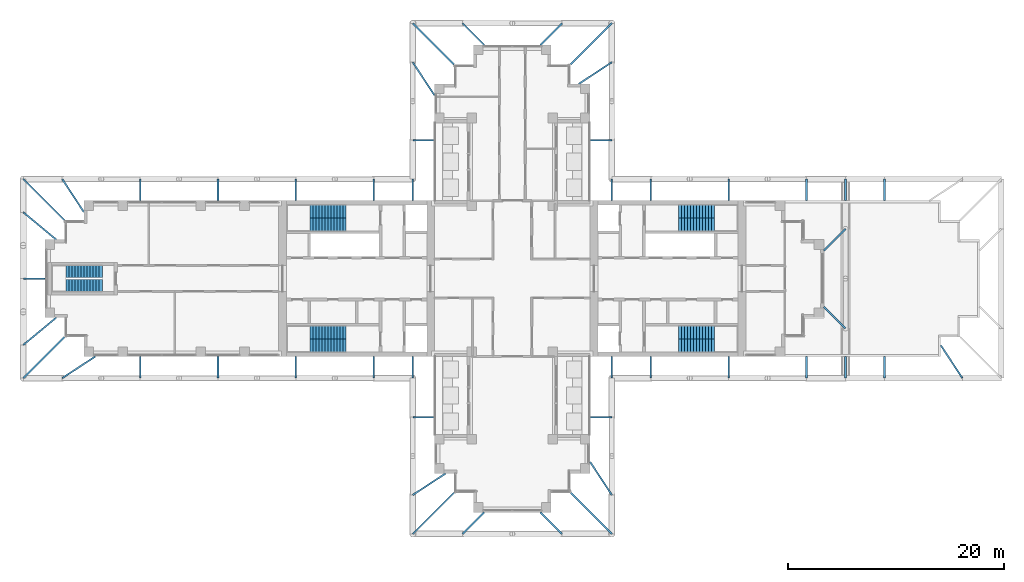
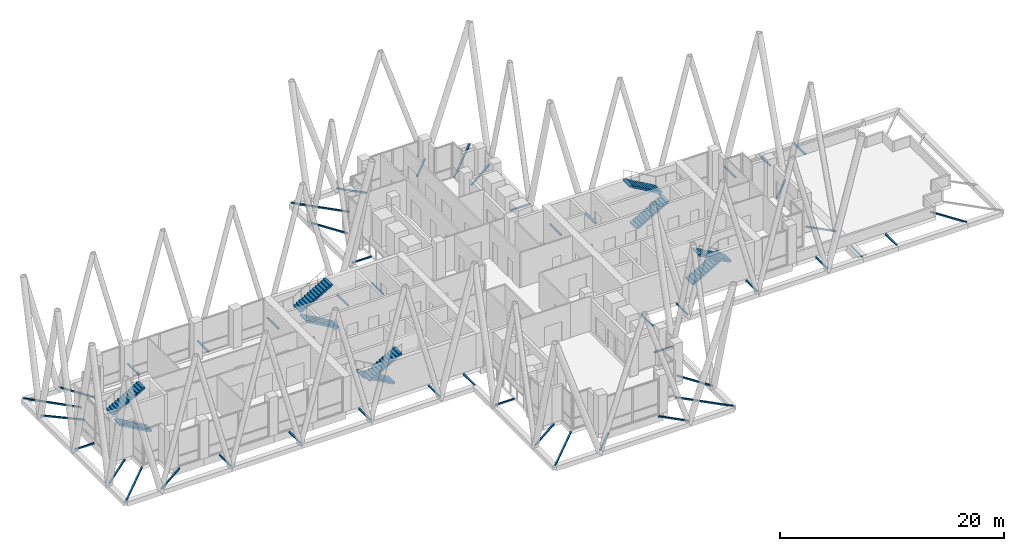
# One storey, part 16 of 19: 48 discrete accessories, 10 stair flights, 5 elements without a shape of their own.
"""IFC4 building model written with IfcOpenShell, lengths in metres."""

from ifc_helpers import new_model, si_unit, direction, frame, origin, origin_2d, place, context, subcontext, project, spatial, polyline, hollow_rectangle, outline, extrude, material, type_object, element, aggregate, save


model = new_model("IFC4")

# Units and contexts
model_context = context("Model", 3, precision=1e-05, world=origin(), true_north=direction((0.0, 1.0)))
body_context = subcontext(model_context, "Body", "Model", "MODEL_VIEW")
ifc_project = project(units=[si_unit("LENGTHUNIT", "METRE"), si_unit("AREAUNIT", "SQUARE_METRE"), si_unit("VOLUMEUNIT", "CUBIC_METRE"), si_unit("PLANEANGLEUNIT", "RADIAN"), si_unit("MASSUNIT", "GRAM", prefix="KILO")], contexts=[model_context])

# Site, building, storey
site_placement = place(None, origin())
site = spatial("IfcSite", under=ifc_project, at=site_placement, CompositionType="ELEMENT")
building_placement = place(site_placement, origin())
building = spatial("IfcBuilding", under=site, at=building_placement, Name="Fustian Cross Tower", CompositionType="ELEMENT")
storey_placement = place(building_placement, frame((0.0, 0.0, 166.5)))
storey = spatial("IfcBuildingStorey", under=building, at=storey_placement, Name="L52", CompositionType="ELEMENT", Elevation=166.5)

# Stair, stair flights
ifc_material_1 = material(Name="Concrete C50/60", Category="concrete")
stair_type_1 = type_object("IfcStairType", Name="STAIR 1100 HALF TURN", PredefinedType="HALF_TURN_STAIR", material=ifc_material_1)
stair_1_placement = place(storey_placement, origin())
stair_1 = element("IfcStair", 1, at=stair_1_placement, inside=storey, type_object=stair_type_1, Name="Stair ST9", PredefinedType="HALF_TURN_STAIR")
ifc_material_2 = material(Name="Concrete C50/60", Category="concrete")
stair_flight_type_1 = type_object("IfcStairFlightType", Name="STAIR FLIGHT 1100", PredefinedType="STRAIGHT", material=ifc_material_2)
stair_flight_1_placement = place(storey_placement, frame((-37.89990234375, -0.64990234375, 0.0), z_axis=(0.0, 0.0, 1.0), x_axis=(-1.0, 0.0, 0.0)))
stair_flight_1 = element("IfcStairFlight", 2, at=stair_flight_1_placement, type_object=stair_flight_type_1, Name="ST9 flight 1", NumberOfRisers=13, NumberOfTreads=12, PredefinedType="STRAIGHT", RiserHeight=0.161538462, TreadLength=0.28, context=body_context, shape_type="SweptSolid", body=[
    extrude(outline(polyline([(0.0, 0.0), (0.0, 0.16162109375), (0.280029296875, 0.16162109375), (0.280029296875, 0.322998046875), (0.56005859375, 0.322998046875), (0.56005859375, 0.484619140625), (0.840087890625, 0.484619140625), (0.840087890625, 0.646240234375), (1.1201171875, 0.646240234375), (1.1201171875, 0.8076171875), (1.39990234375, 0.8076171875), (1.39990234375, 0.96923828125), (1.679931640625, 0.96923828125), (1.679931640625, 1.130859375), (1.9599609375, 1.130859375), (1.9599609375, 1.292236328125), (2.239990234375, 1.292236328125), (2.239990234375, 1.453857421875), (2.52001953125, 1.453857421875), (2.52001953125, 1.615478515625), (2.800048828125, 1.615478515625), (2.800048828125, 1.77685546875), (3.080078125, 1.77685546875), (3.080078125, 1.9384765625), (3.360107421875, 1.9384765625), (3.360107421875, 2.10009765625), (3.360107421875, 1.765380859375), (0.300048828125, 0.0), (0.0, 0.0)])), frame((0.0, 0.550048828125, 0.0), z_axis=(0.0, -1.0, 0.0), x_axis=(1.0, 0.0, 0.0)), (0.0, 0.0, 1.0), 1.10009765625),
])
stair_flight_2_placement = place(storey_placement, frame((-41.260009765625, 0.64990234375, 2.10009765625), z_axis=(0.0, 0.0, 1.0), x_axis=(1.0, 0.0, 0.0)))
stair_flight_2 = element("IfcStairFlight", 3, at=stair_flight_2_placement, type_object=stair_flight_type_1, Name="ST9 flight 2", NumberOfRisers=13, NumberOfTreads=12, PredefinedType="STRAIGHT", RiserHeight=0.161538462, TreadLength=0.28, context=body_context, shape_type="SweptSolid", body=[
    extrude(outline(polyline([(0.0, 0.0), (0.0, 0.16162109375), (0.280029296875, 0.16162109375), (0.280029296875, 0.322998046875), (0.56005859375, 0.322998046875), (0.56005859375, 0.484619140625), (0.840087890625, 0.484619140625), (0.840087890625, 0.646240234375), (1.1201171875, 0.646240234375), (1.1201171875, 0.8076171875), (1.39990234375, 0.8076171875), (1.39990234375, 0.96923828125), (1.679931640625, 0.96923828125), (1.679931640625, 1.130859375), (1.9599609375, 1.130859375), (1.9599609375, 1.292236328125), (2.239990234375, 1.292236328125), (2.239990234375, 1.453857421875), (2.52001953125, 1.453857421875), (2.52001953125, 1.615478515625), (2.800048828125, 1.615478515625), (2.800048828125, 1.77685546875), (3.080078125, 1.77685546875), (3.080078125, 1.9384765625), (3.360107421875, 1.9384765625), (3.360107421875, 2.10009765625), (3.360107421875, 1.765380859375), (0.300048828125, 0.0), (0.0, 0.0)])), frame((0.0, 0.550048828125, 0.0), z_axis=(0.0, -1.0, 0.0), x_axis=(1.0, 0.0, 0.0)), (0.0, 0.0, 1.0), 1.10009765625),
])
aggregate(stair_1, [stair_flight_1, stair_flight_2])

ifc_material_3 = material(Name="Concrete C50/60", Category="concrete")
stair_type_2 = type_object("IfcStairType", Name="STAIR 1200 HALF TURN", PredefinedType="HALF_TURN_STAIR", material=ifc_material_3)
stair_2_placement = place(storey_placement, origin())
stair_2 = element("IfcStair", 4, at=stair_2_placement, inside=storey, type_object=stair_type_2, Name="Stair ST1", PredefinedType="HALF_TURN_STAIR")
ifc_material_4 = material(Name="Concrete C50/60", Category="concrete")
stair_flight_type_2 = type_object("IfcStairFlightType", Name="STAIR FLIGHT 1200", PredefinedType="STRAIGHT", material=ifc_material_4)
stair_flight_3_placement = place(storey_placement, frame((15.35009765625, 5.0, 0.0), z_axis=(0.0, 0.0, 1.0), x_axis=(1.0, 0.0, 0.0)))
stair_flight_3 = element("IfcStairFlight", 5, at=stair_flight_3_placement, type_object=stair_flight_type_2, Name="ST1 flight 1", NumberOfRisers=13, NumberOfTreads=12, PredefinedType="STRAIGHT", RiserHeight=0.161538462, TreadLength=0.28, context=body_context, shape_type="SweptSolid", body=[
    extrude(outline(polyline([(0.0, 0.0), (0.0, 0.16162109375), (0.280029296875, 0.16162109375), (0.280029296875, 0.322998046875), (0.56005859375, 0.322998046875), (0.56005859375, 0.484619140625), (0.840087890625, 0.484619140625), (0.840087890625, 0.646240234375), (1.1201171875, 0.646240234375), (1.1201171875, 0.8076171875), (1.39990234375, 0.8076171875), (1.39990234375, 0.96923828125), (1.679931640625, 0.96923828125), (1.679931640625, 1.130859375), (1.9599609375, 1.130859375), (1.9599609375, 1.292236328125), (2.239990234375, 1.292236328125), (2.239990234375, 1.453857421875), (2.52001953125, 1.453857421875), (2.52001953125, 1.615478515625), (2.800048828125, 1.615478515625), (2.800048828125, 1.77685546875), (3.080078125, 1.77685546875), (3.080078125, 1.9384765625), (3.360107421875, 1.9384765625), (3.360107421875, 2.10009765625), (3.360107421875, 1.765380859375), (0.300048828125, 0.0), (0.0, 0.0)])), frame((0.0, 0.60009765625, 0.0), z_axis=(0.0, -1.0, 0.0), x_axis=(1.0, 0.0, 0.0)), (0.0, 0.0, 1.0), 1.199951171875),
])
stair_flight_4_placement = place(storey_placement, frame((18.7099609375, 6.199951171875, 2.10009765625), z_axis=(0.0, 0.0, 1.0), x_axis=(-1.0, 0.0, 0.0)))
stair_flight_4 = element("IfcStairFlight", 6, at=stair_flight_4_placement, type_object=stair_flight_type_2, Name="ST1 flight 2", NumberOfRisers=13, NumberOfTreads=12, PredefinedType="STRAIGHT", RiserHeight=0.161538462, TreadLength=0.28, context=body_context, shape_type="SweptSolid", body=[
    extrude(outline(polyline([(0.0, 0.0), (0.0, 0.16162109375), (0.280029296875, 0.16162109375), (0.280029296875, 0.322998046875), (0.56005859375, 0.322998046875), (0.56005859375, 0.484619140625), (0.840087890625, 0.484619140625), (0.840087890625, 0.646240234375), (1.1201171875, 0.646240234375), (1.1201171875, 0.8076171875), (1.39990234375, 0.8076171875), (1.39990234375, 0.96923828125), (1.679931640625, 0.96923828125), (1.679931640625, 1.130859375), (1.9599609375, 1.130859375), (1.9599609375, 1.292236328125), (2.239990234375, 1.292236328125), (2.239990234375, 1.453857421875), (2.52001953125, 1.453857421875), (2.52001953125, 1.615478515625), (2.800048828125, 1.615478515625), (2.800048828125, 1.77685546875), (3.080078125, 1.77685546875), (3.080078125, 1.9384765625), (3.360107421875, 1.9384765625), (3.360107421875, 2.10009765625), (3.360107421875, 1.765380859375), (0.300048828125, 0.0), (0.0, 0.0)])), frame((0.0, 0.60009765625, 0.0), z_axis=(0.0, -1.0, 0.0), x_axis=(1.0, 0.0, 0.0)), (0.0, 0.0, 1.0), 1.199951171875),
])
aggregate(stair_2, [stair_flight_3, stair_flight_4])

stair_3_placement = place(storey_placement, origin())
stair_3 = element("IfcStair", 7, at=stair_3_placement, inside=storey, type_object=stair_type_2, Name="Stair ST2", PredefinedType="HALF_TURN_STAIR")
stair_flight_5_placement = place(storey_placement, frame((15.35009765625, -5.0, 0.0), z_axis=(0.0, 0.0, 1.0), x_axis=(1.0, 0.0, 0.0)))
stair_flight_5 = element("IfcStairFlight", 8, at=stair_flight_5_placement, type_object=stair_flight_type_2, Name="ST2 flight 1", NumberOfRisers=13, NumberOfTreads=12, PredefinedType="STRAIGHT", RiserHeight=0.161538462, TreadLength=0.28, context=body_context, shape_type="SweptSolid", body=[
    extrude(outline(polyline([(0.0, 0.0), (0.0, 0.16162109375), (0.280029296875, 0.16162109375), (0.280029296875, 0.322998046875), (0.56005859375, 0.322998046875), (0.56005859375, 0.484619140625), (0.840087890625, 0.484619140625), (0.840087890625, 0.646240234375), (1.1201171875, 0.646240234375), (1.1201171875, 0.8076171875), (1.39990234375, 0.8076171875), (1.39990234375, 0.96923828125), (1.679931640625, 0.96923828125), (1.679931640625, 1.130859375), (1.9599609375, 1.130859375), (1.9599609375, 1.292236328125), (2.239990234375, 1.292236328125), (2.239990234375, 1.453857421875), (2.52001953125, 1.453857421875), (2.52001953125, 1.615478515625), (2.800048828125, 1.615478515625), (2.800048828125, 1.77685546875), (3.080078125, 1.77685546875), (3.080078125, 1.9384765625), (3.360107421875, 1.9384765625), (3.360107421875, 2.10009765625), (3.360107421875, 1.765380859375), (0.300048828125, 0.0), (0.0, 0.0)])), frame((0.0, 0.60009765625, 0.0), z_axis=(0.0, -1.0, 0.0), x_axis=(1.0, 0.0, 0.0)), (0.0, 0.0, 1.0), 1.199951171875),
])
stair_flight_6_placement = place(storey_placement, frame((18.7099609375, -6.199951171875, 2.10009765625), z_axis=(0.0, 0.0, 1.0), x_axis=(-1.0, 0.0, 0.0)))
stair_flight_6 = element("IfcStairFlight", 9, at=stair_flight_6_placement, type_object=stair_flight_type_2, Name="ST2 flight 2", NumberOfRisers=13, NumberOfTreads=12, PredefinedType="STRAIGHT", RiserHeight=0.161538462, TreadLength=0.28, context=body_context, shape_type="SweptSolid", body=[
    extrude(outline(polyline([(0.0, 0.0), (0.0, 0.16162109375), (0.280029296875, 0.16162109375), (0.280029296875, 0.322998046875), (0.56005859375, 0.322998046875), (0.56005859375, 0.484619140625), (0.840087890625, 0.484619140625), (0.840087890625, 0.646240234375), (1.1201171875, 0.646240234375), (1.1201171875, 0.8076171875), (1.39990234375, 0.8076171875), (1.39990234375, 0.96923828125), (1.679931640625, 0.96923828125), (1.679931640625, 1.130859375), (1.9599609375, 1.130859375), (1.9599609375, 1.292236328125), (2.239990234375, 1.292236328125), (2.239990234375, 1.453857421875), (2.52001953125, 1.453857421875), (2.52001953125, 1.615478515625), (2.800048828125, 1.615478515625), (2.800048828125, 1.77685546875), (3.080078125, 1.77685546875), (3.080078125, 1.9384765625), (3.360107421875, 1.9384765625), (3.360107421875, 2.10009765625), (3.360107421875, 1.765380859375), (0.300048828125, 0.0), (0.0, 0.0)])), frame((0.0, 0.60009765625, 0.0), z_axis=(0.0, -1.0, 0.0), x_axis=(1.0, 0.0, 0.0)), (0.0, 0.0, 1.0), 1.199951171875),
])
aggregate(stair_3, [stair_flight_5, stair_flight_6])

stair_4_placement = place(storey_placement, origin())
stair_4 = element("IfcStair", 10, at=stair_4_placement, inside=storey, type_object=stair_type_2, Name="Stair ST3", PredefinedType="HALF_TURN_STAIR")
stair_flight_7_placement = place(storey_placement, frame((-15.35009765625, 5.0, 0.0), z_axis=(0.0, 0.0, 1.0), x_axis=(-1.0, 0.0, 0.0)))
stair_flight_7 = element("IfcStairFlight", 11, at=stair_flight_7_placement, type_object=stair_flight_type_2, Name="ST3 flight 1", NumberOfRisers=13, NumberOfTreads=12, PredefinedType="STRAIGHT", RiserHeight=0.161538462, TreadLength=0.28, context=body_context, shape_type="SweptSolid", body=[
    extrude(outline(polyline([(0.0, 0.0), (0.0, 0.16162109375), (0.280029296875, 0.16162109375), (0.280029296875, 0.322998046875), (0.56005859375, 0.322998046875), (0.56005859375, 0.484619140625), (0.840087890625, 0.484619140625), (0.840087890625, 0.646240234375), (1.1201171875, 0.646240234375), (1.1201171875, 0.8076171875), (1.39990234375, 0.8076171875), (1.39990234375, 0.96923828125), (1.679931640625, 0.96923828125), (1.679931640625, 1.130859375), (1.9599609375, 1.130859375), (1.9599609375, 1.292236328125), (2.239990234375, 1.292236328125), (2.239990234375, 1.453857421875), (2.52001953125, 1.453857421875), (2.52001953125, 1.615478515625), (2.800048828125, 1.615478515625), (2.800048828125, 1.77685546875), (3.080078125, 1.77685546875), (3.080078125, 1.9384765625), (3.360107421875, 1.9384765625), (3.360107421875, 2.10009765625), (3.360107421875, 1.765380859375), (0.300048828125, 0.0), (0.0, 0.0)])), frame((0.0, 0.60009765625, 0.0), z_axis=(0.0, -1.0, 0.0), x_axis=(1.0, 0.0, 0.0)), (0.0, 0.0, 1.0), 1.199951171875),
])
stair_flight_8_placement = place(storey_placement, frame((-18.7099609375, 6.199951171875, 2.10009765625), z_axis=(0.0, 0.0, 1.0), x_axis=(1.0, 0.0, 0.0)))
stair_flight_8 = element("IfcStairFlight", 12, at=stair_flight_8_placement, type_object=stair_flight_type_2, Name="ST3 flight 2", NumberOfRisers=13, NumberOfTreads=12, PredefinedType="STRAIGHT", RiserHeight=0.161538462, TreadLength=0.28, context=body_context, shape_type="SweptSolid", body=[
    extrude(outline(polyline([(0.0, 0.0), (0.0, 0.16162109375), (0.280029296875, 0.16162109375), (0.280029296875, 0.322998046875), (0.56005859375, 0.322998046875), (0.56005859375, 0.484619140625), (0.840087890625, 0.484619140625), (0.840087890625, 0.646240234375), (1.1201171875, 0.646240234375), (1.1201171875, 0.8076171875), (1.39990234375, 0.8076171875), (1.39990234375, 0.96923828125), (1.679931640625, 0.96923828125), (1.679931640625, 1.130859375), (1.9599609375, 1.130859375), (1.9599609375, 1.292236328125), (2.239990234375, 1.292236328125), (2.239990234375, 1.453857421875), (2.52001953125, 1.453857421875), (2.52001953125, 1.615478515625), (2.800048828125, 1.615478515625), (2.800048828125, 1.77685546875), (3.080078125, 1.77685546875), (3.080078125, 1.9384765625), (3.360107421875, 1.9384765625), (3.360107421875, 2.10009765625), (3.360107421875, 1.765380859375), (0.300048828125, 0.0), (0.0, 0.0)])), frame((0.0, 0.60009765625, 0.0), z_axis=(0.0, -1.0, 0.0), x_axis=(1.0, 0.0, 0.0)), (0.0, 0.0, 1.0), 1.199951171875),
])
aggregate(stair_4, [stair_flight_7, stair_flight_8])

stair_5_placement = place(storey_placement, origin())
stair_5 = element("IfcStair", 13, at=stair_5_placement, inside=storey, type_object=stair_type_2, Name="Stair ST4", PredefinedType="HALF_TURN_STAIR")
stair_flight_9_placement = place(storey_placement, frame((-15.35009765625, -5.0, 0.0), z_axis=(0.0, 0.0, 1.0), x_axis=(-1.0, 0.0, 0.0)))
stair_flight_9 = element("IfcStairFlight", 14, at=stair_flight_9_placement, type_object=stair_flight_type_2, Name="ST4 flight 1", NumberOfRisers=13, NumberOfTreads=12, PredefinedType="STRAIGHT", RiserHeight=0.161538462, TreadLength=0.28, context=body_context, shape_type="SweptSolid", body=[
    extrude(outline(polyline([(0.0, 0.0), (0.0, 0.16162109375), (0.280029296875, 0.16162109375), (0.280029296875, 0.322998046875), (0.56005859375, 0.322998046875), (0.56005859375, 0.484619140625), (0.840087890625, 0.484619140625), (0.840087890625, 0.646240234375), (1.1201171875, 0.646240234375), (1.1201171875, 0.8076171875), (1.39990234375, 0.8076171875), (1.39990234375, 0.96923828125), (1.679931640625, 0.96923828125), (1.679931640625, 1.130859375), (1.9599609375, 1.130859375), (1.9599609375, 1.292236328125), (2.239990234375, 1.292236328125), (2.239990234375, 1.453857421875), (2.52001953125, 1.453857421875), (2.52001953125, 1.615478515625), (2.800048828125, 1.615478515625), (2.800048828125, 1.77685546875), (3.080078125, 1.77685546875), (3.080078125, 1.9384765625), (3.360107421875, 1.9384765625), (3.360107421875, 2.10009765625), (3.360107421875, 1.765380859375), (0.300048828125, 0.0), (0.0, 0.0)])), frame((0.0, 0.60009765625, 0.0), z_axis=(0.0, -1.0, 0.0), x_axis=(1.0, 0.0, 0.0)), (0.0, 0.0, 1.0), 1.199951171875),
])
stair_flight_10_placement = place(storey_placement, frame((-18.7099609375, -6.199951171875, 2.10009765625), z_axis=(0.0, 0.0, 1.0), x_axis=(1.0, 0.0, 0.0)))
stair_flight_10 = element("IfcStairFlight", 15, at=stair_flight_10_placement, type_object=stair_flight_type_2, Name="ST4 flight 2", NumberOfRisers=13, NumberOfTreads=12, PredefinedType="STRAIGHT", RiserHeight=0.161538462, TreadLength=0.28, context=body_context, shape_type="SweptSolid", body=[
    extrude(outline(polyline([(0.0, 0.0), (0.0, 0.16162109375), (0.280029296875, 0.16162109375), (0.280029296875, 0.322998046875), (0.56005859375, 0.322998046875), (0.56005859375, 0.484619140625), (0.840087890625, 0.484619140625), (0.840087890625, 0.646240234375), (1.1201171875, 0.646240234375), (1.1201171875, 0.8076171875), (1.39990234375, 0.8076171875), (1.39990234375, 0.96923828125), (1.679931640625, 0.96923828125), (1.679931640625, 1.130859375), (1.9599609375, 1.130859375), (1.9599609375, 1.292236328125), (2.239990234375, 1.292236328125), (2.239990234375, 1.453857421875), (2.52001953125, 1.453857421875), (2.52001953125, 1.615478515625), (2.800048828125, 1.615478515625), (2.800048828125, 1.77685546875), (3.080078125, 1.77685546875), (3.080078125, 1.9384765625), (3.360107421875, 1.9384765625), (3.360107421875, 2.10009765625), (3.360107421875, 1.765380859375), (0.300048828125, 0.0), (0.0, 0.0)])), frame((0.0, 0.60009765625, 0.0), z_axis=(0.0, -1.0, 0.0), x_axis=(1.0, 0.0, 0.0)), (0.0, 0.0, 1.0), 1.199951171875),
])
aggregate(stair_5, [stair_flight_9, stair_flight_10])

# Discrete accessories
ifc_material_5 = material(Name="Steel S355", Category="steel")
discrete_accessory_1_placement = place(storey_placement, frame((30.800048828125, 4.60009765625, -0.14990234375), z_axis=(-0.707106781187, -0.707106781187, 0.0), x_axis=(0.707106781187, -0.707106781187, 0.0)))
element("IfcDiscreteAccessory", 16, at=discrete_accessory_1_placement, inside=storey, material=ifc_material_5, Name="Diagrid node bracket L52-02", PredefinedType="BRACKET", context=body_context, shape_type="SweptSolid", body=[
    extrude(hollow_rectangle(XDim=0.14990234375, YDim=0.14990234375, WallThickness=0.010009765625, at=origin_2d()), origin(), (0.0, 0.0, 1.0), 2.828369140625),
])
for number, where, z_axis, x_axis, name in (
    (17, (34.39990234375, 9.199951171875, -0.14990234375), (0.0, -1.0, 0.0), (1.0, 0.0, 0.0), "Diagrid node bracket L52-05"),
    (18, (30.800048828125, 9.199951171875, -0.14990234375), (0.0, -1.0, 0.0), (1.0, 0.0, 0.0), "Diagrid node bracket L52-06"),
    (19, (27.199951171875, 9.199951171875, -0.14990234375), (0.0, -1.0, 0.0), (1.0, 0.0, 0.0), "Diagrid node bracket L52-07"),
    (20, (20.0, 9.199951171875, -0.14990234375), (0.0, -1.0, 0.0), (1.0, 0.0, 0.0), "Diagrid node bracket L52-08"),
    (21, (12.800048828125, 9.199951171875, -0.14990234375), (0.0, -1.0, 0.0), (1.0, 0.0, 0.0), "Diagrid node bracket L52-09"),
    (22, (9.199951171875, 9.199951171875, -0.14990234375), (0.0, -1.0, 0.0), (1.0, 0.0, 0.0), "Diagrid node bracket L52-10"),
    (23, (9.199951171875, 12.800048828125, -0.14990234375), (-1.0, 0.0, 0.0), (0.0, -1.0, 0.0), "Diagrid node bracket L52-11"),
):
    element("IfcDiscreteAccessory", number, at=place(storey_placement, frame(where, z_axis=z_axis, x_axis=x_axis)), inside=storey, material=ifc_material_5, Name=name, PredefinedType="BRACKET", context=body_context, shape_type="SweptSolid", body=[
        extrude(hollow_rectangle(XDim=0.14990234375, YDim=0.14990234375, WallThickness=0.010009765625, at=origin_2d()), origin(), (0.0, 0.0, 1.0), 2.0),
    ])
discrete_accessory_2_placement = place(storey_placement, frame((9.199951171875, 20.0, -0.14990234375), z_axis=(-0.836248392914, -0.548350823241, 0.0), x_axis=(0.548350823241, -0.836248392914, 0.0)))
element("IfcDiscreteAccessory", 24, at=discrete_accessory_2_placement, inside=storey, material=ifc_material_5, Name="Diagrid node bracket L52-12", PredefinedType="BRACKET", context=body_context, shape_type="SweptSolid", body=[
    extrude(hollow_rectangle(XDim=0.14990234375, YDim=0.14990234375, WallThickness=0.010009765625, at=origin_2d()), origin(), (0.0, 0.0, 1.0), 3.647216796875),
])
discrete_accessory_3_placement = place(storey_placement, frame((9.199951171875, 23.60009765625, -0.14990234375), z_axis=(-0.707106781187, -0.707106781187, 0.0), x_axis=(0.707106781187, -0.707106781187, 0.0)))
element("IfcDiscreteAccessory", 25, at=discrete_accessory_3_placement, inside=storey, material=ifc_material_5, Name="Diagrid node bracket L52-13", PredefinedType="BRACKET", context=body_context, shape_type="SweptSolid", body=[
    extrude(hollow_rectangle(XDim=0.14990234375, YDim=0.14990234375, WallThickness=0.010009765625, at=origin_2d()), origin(), (0.0, 0.0, 1.0), 5.3740234375),
])
for number, where, z_axis, x_axis, name in (
    (26, (4.60009765625, 23.60009765625, -0.14990234375), (-0.707106781187, -0.707106781187, 0.0), (0.707106781187, -0.707106781187, 0.0), "Diagrid node bracket L52-14"),
    (27, (-4.60009765625, 23.60009765625, -0.14990234375), (0.707106781187, -0.707106781187, 0.0), (0.707106781187, 0.707106781187, 0.0), "Diagrid node bracket L52-15"),
):
    element("IfcDiscreteAccessory", number, at=place(storey_placement, frame(where, z_axis=z_axis, x_axis=x_axis)), inside=storey, material=ifc_material_5, Name=name, PredefinedType="BRACKET", context=body_context, shape_type="SweptSolid", body=[
        extrude(hollow_rectangle(XDim=0.14990234375, YDim=0.14990234375, WallThickness=0.010009765625, at=origin_2d()), origin(), (0.0, 0.0, 1.0), 2.828369140625),
    ])
discrete_accessory_4_placement = place(storey_placement, frame((-9.199951171875, 23.60009765625, -0.14990234375), z_axis=(0.707106781187, -0.707106781187, 0.0), x_axis=(0.707106781187, 0.707106781187, 0.0)))
element("IfcDiscreteAccessory", 28, at=discrete_accessory_4_placement, inside=storey, material=ifc_material_5, Name="Diagrid node bracket L52-16", PredefinedType="BRACKET", context=body_context, shape_type="SweptSolid", body=[
    extrude(hollow_rectangle(XDim=0.14990234375, YDim=0.14990234375, WallThickness=0.010009765625, at=origin_2d()), origin(), (0.0, 0.0, 1.0), 5.3740234375),
])
discrete_accessory_5_placement = place(storey_placement, frame((-9.199951171875, 20.0, -0.14990234375), z_axis=(0.548350823241, -0.836248392914, 0.0), x_axis=(0.836248392914, 0.548350823241, 0.0)))
element("IfcDiscreteAccessory", 29, at=discrete_accessory_5_placement, inside=storey, material=ifc_material_5, Name="Diagrid node bracket L52-17", PredefinedType="BRACKET", context=body_context, shape_type="SweptSolid", body=[
    extrude(hollow_rectangle(XDim=0.14990234375, YDim=0.14990234375, WallThickness=0.010009765625, at=origin_2d()), origin(), (0.0, 0.0, 1.0), 3.647216796875),
])
for number, where, z_axis, x_axis, name in (
    (30, (-9.199951171875, 12.800048828125, -0.14990234375), (1.0, 0.0, 0.0), (0.0, 1.0, 0.0), "Diagrid node bracket L52-18"),
    (31, (-9.199951171875, 9.199951171875, -0.14990234375), (0.0, -1.0, 0.0), (1.0, 0.0, 0.0), "Diagrid node bracket L52-19"),
    (32, (-12.800048828125, 9.199951171875, -0.14990234375), (0.0, -1.0, 0.0), (1.0, 0.0, 0.0), "Diagrid node bracket L52-20"),
    (33, (-20.0, 9.199951171875, -0.14990234375), (0.0, -1.0, 0.0), (1.0, 0.0, 0.0), "Diagrid node bracket L52-21"),
    (34, (-27.199951171875, 9.199951171875, -0.14990234375), (0.0, -1.0, 0.0), (1.0, 0.0, 0.0), "Diagrid node bracket L52-22"),
    (35, (-34.39990234375, 9.199951171875, -0.14990234375), (0.0, -1.0, 0.0), (1.0, 0.0, 0.0), "Diagrid node bracket L52-23"),
):
    element("IfcDiscreteAccessory", number, at=place(storey_placement, frame(where, z_axis=z_axis, x_axis=x_axis)), inside=storey, material=ifc_material_5, Name=name, PredefinedType="BRACKET", context=body_context, shape_type="SweptSolid", body=[
        extrude(hollow_rectangle(XDim=0.14990234375, YDim=0.14990234375, WallThickness=0.010009765625, at=origin_2d()), origin(), (0.0, 0.0, 1.0), 2.0),
    ])
discrete_accessory_6_placement = place(storey_placement, frame((-41.60009765625, 9.199951171875, -0.14990234375), z_axis=(0.548350823241, -0.836248392914, 0.0), x_axis=(0.836248392914, 0.548350823241, 0.0)))
element("IfcDiscreteAccessory", 36, at=discrete_accessory_6_placement, inside=storey, material=ifc_material_5, Name="Diagrid node bracket L52-24", PredefinedType="BRACKET", context=body_context, shape_type="SweptSolid", body=[
    extrude(hollow_rectangle(XDim=0.14990234375, YDim=0.14990234375, WallThickness=0.010009765625, at=origin_2d()), origin(), (0.0, 0.0, 1.0), 3.647216796875),
])
discrete_accessory_7_placement = place(storey_placement, frame((-45.199951171875, 9.199951171875, -0.14990234375), z_axis=(0.707106781187, -0.707106781187, 0.0), x_axis=(0.707106781187, 0.707106781187, 0.0)))
element("IfcDiscreteAccessory", 37, at=discrete_accessory_7_placement, inside=storey, material=ifc_material_5, Name="Diagrid node bracket L52-25", PredefinedType="BRACKET", context=body_context, shape_type="SweptSolid", body=[
    extrude(hollow_rectangle(XDim=0.14990234375, YDim=0.14990234375, WallThickness=0.010009765625, at=origin_2d()), origin(), (0.0, 0.0, 1.0), 5.3740234375),
])
discrete_accessory_8_placement = place(storey_placement, frame((-45.199951171875, 6.13330078125, -0.14990234375), z_axis=(0.769275112648, -0.638917679408, 0.0), x_axis=(0.638917679408, 0.769275112648, 0.0)))
element("IfcDiscreteAccessory", 38, at=discrete_accessory_8_placement, inside=storey, material=ifc_material_5, Name="Diagrid node bracket L52-26", PredefinedType="BRACKET", context=body_context, shape_type="SweptSolid", body=[
    extrude(hollow_rectangle(XDim=0.14990234375, YDim=0.14990234375, WallThickness=0.010009765625, at=origin_2d()), origin(), (0.0, 0.0, 1.0), 3.96484375),
])
discrete_accessory_9_placement = place(storey_placement, frame((-45.199951171875, 0.0, -0.14990234375), z_axis=(1.0, 0.0, 0.0), x_axis=(0.0, 1.0, 0.0)))
element("IfcDiscreteAccessory", 39, at=discrete_accessory_9_placement, inside=storey, material=ifc_material_5, Name="Diagrid node bracket L52-27", PredefinedType="BRACKET", context=body_context, shape_type="SweptSolid", body=[
    extrude(hollow_rectangle(XDim=0.14990234375, YDim=0.14990234375, WallThickness=0.010009765625, at=origin_2d()), origin(), (0.0, 0.0, 1.0), 2.0),
])
discrete_accessory_10_placement = place(storey_placement, frame((-45.199951171875, -6.13330078125, -0.14990234375), z_axis=(0.769275112648, 0.638917679408, 0.0), x_axis=(-0.638917679408, 0.769275112648, 0.0)))
element("IfcDiscreteAccessory", 40, at=discrete_accessory_10_placement, inside=storey, material=ifc_material_5, Name="Diagrid node bracket L52-28", PredefinedType="BRACKET", context=body_context, shape_type="SweptSolid", body=[
    extrude(hollow_rectangle(XDim=0.14990234375, YDim=0.14990234375, WallThickness=0.010009765625, at=origin_2d()), origin(), (0.0, 0.0, 1.0), 3.96484375),
])
discrete_accessory_11_placement = place(storey_placement, frame((-45.199951171875, -9.199951171875, -0.14990234375), z_axis=(0.707106781187, 0.707106781187, 0.0), x_axis=(-0.707106781187, 0.707106781187, 0.0)))
element("IfcDiscreteAccessory", 41, at=discrete_accessory_11_placement, inside=storey, material=ifc_material_5, Name="Diagrid node bracket L52-29", PredefinedType="BRACKET", context=body_context, shape_type="SweptSolid", body=[
    extrude(hollow_rectangle(XDim=0.14990234375, YDim=0.14990234375, WallThickness=0.010009765625, at=origin_2d()), origin(), (0.0, 0.0, 1.0), 5.3740234375),
])
discrete_accessory_12_placement = place(storey_placement, frame((-41.60009765625, -9.199951171875, -0.14990234375), z_axis=(0.836248392914, 0.548350823241, 0.0), x_axis=(-0.548350823241, 0.836248392914, 0.0)))
element("IfcDiscreteAccessory", 42, at=discrete_accessory_12_placement, inside=storey, material=ifc_material_5, Name="Diagrid node bracket L52-30", PredefinedType="BRACKET", context=body_context, shape_type="SweptSolid", body=[
    extrude(hollow_rectangle(XDim=0.14990234375, YDim=0.14990234375, WallThickness=0.010009765625, at=origin_2d()), origin(), (0.0, 0.0, 1.0), 3.647216796875),
])
for number, where, z_axis, x_axis, name in (
    (43, (-34.39990234375, -9.199951171875, -0.14990234375), (0.0, 1.0, 0.0), (-1.0, 0.0, 0.0), "Diagrid node bracket L52-31"),
    (44, (-27.199951171875, -9.199951171875, -0.14990234375), (0.0, 1.0, 0.0), (-1.0, 0.0, 0.0), "Diagrid node bracket L52-32"),
    (45, (-20.0, -9.199951171875, -0.14990234375), (0.0, 1.0, 0.0), (-1.0, 0.0, 0.0), "Diagrid node bracket L52-33"),
    (46, (-12.800048828125, -9.199951171875, -0.14990234375), (0.0, 1.0, 0.0), (-1.0, 0.0, 0.0), "Diagrid node bracket L52-34"),
    (47, (-9.199951171875, -9.199951171875, -0.14990234375), (0.0, 1.0, 0.0), (-1.0, 0.0, 0.0), "Diagrid node bracket L52-35"),
    (48, (-9.199951171875, -12.800048828125, -0.14990234375), (1.0, 0.0, 0.0), (0.0, 1.0, 0.0), "Diagrid node bracket L52-36"),
):
    element("IfcDiscreteAccessory", number, at=place(storey_placement, frame(where, z_axis=z_axis, x_axis=x_axis)), inside=storey, material=ifc_material_5, Name=name, PredefinedType="BRACKET", context=body_context, shape_type="SweptSolid", body=[
        extrude(hollow_rectangle(XDim=0.14990234375, YDim=0.14990234375, WallThickness=0.010009765625, at=origin_2d()), origin(), (0.0, 0.0, 1.0), 2.0),
    ])
discrete_accessory_13_placement = place(storey_placement, frame((-9.199951171875, -20.0, -0.14990234375), z_axis=(0.836248392914, 0.548350823241, 0.0), x_axis=(-0.548350823241, 0.836248392914, 0.0)))
element("IfcDiscreteAccessory", 49, at=discrete_accessory_13_placement, inside=storey, material=ifc_material_5, Name="Diagrid node bracket L52-37", PredefinedType="BRACKET", context=body_context, shape_type="SweptSolid", body=[
    extrude(hollow_rectangle(XDim=0.14990234375, YDim=0.14990234375, WallThickness=0.010009765625, at=origin_2d()), origin(), (0.0, 0.0, 1.0), 3.647216796875),
])
discrete_accessory_14_placement = place(storey_placement, frame((-9.199951171875, -23.60009765625, -0.14990234375), z_axis=(0.707106781187, 0.707106781187, 0.0), x_axis=(-0.707106781187, 0.707106781187, 0.0)))
element("IfcDiscreteAccessory", 50, at=discrete_accessory_14_placement, inside=storey, material=ifc_material_5, Name="Diagrid node bracket L52-38", PredefinedType="BRACKET", context=body_context, shape_type="SweptSolid", body=[
    extrude(hollow_rectangle(XDim=0.14990234375, YDim=0.14990234375, WallThickness=0.010009765625, at=origin_2d()), origin(), (0.0, 0.0, 1.0), 5.3740234375),
])
for number, where, z_axis, x_axis, name in (
    (51, (-4.60009765625, -23.60009765625, -0.14990234375), (0.707106781187, 0.707106781187, 0.0), (-0.707106781187, 0.707106781187, 0.0), "Diagrid node bracket L52-39"),
    (52, (4.60009765625, -23.60009765625, -0.14990234375), (-0.707106781187, 0.707106781187, 0.0), (-0.707106781187, -0.707106781187, 0.0), "Diagrid node bracket L52-40"),
):
    element("IfcDiscreteAccessory", number, at=place(storey_placement, frame(where, z_axis=z_axis, x_axis=x_axis)), inside=storey, material=ifc_material_5, Name=name, PredefinedType="BRACKET", context=body_context, shape_type="SweptSolid", body=[
        extrude(hollow_rectangle(XDim=0.14990234375, YDim=0.14990234375, WallThickness=0.010009765625, at=origin_2d()), origin(), (0.0, 0.0, 1.0), 2.828369140625),
    ])
discrete_accessory_15_placement = place(storey_placement, frame((9.199951171875, -23.60009765625, -0.14990234375), z_axis=(-0.707106781187, 0.707106781187, 0.0), x_axis=(-0.707106781187, -0.707106781187, 0.0)))
element("IfcDiscreteAccessory", 53, at=discrete_accessory_15_placement, inside=storey, material=ifc_material_5, Name="Diagrid node bracket L52-41", PredefinedType="BRACKET", context=body_context, shape_type="SweptSolid", body=[
    extrude(hollow_rectangle(XDim=0.14990234375, YDim=0.14990234375, WallThickness=0.010009765625, at=origin_2d()), origin(), (0.0, 0.0, 1.0), 5.3740234375),
])
discrete_accessory_16_placement = place(storey_placement, frame((9.199951171875, -20.0, -0.14990234375), z_axis=(-0.548350823241, 0.836248392914, 0.0), x_axis=(-0.836248392914, -0.548350823241, 0.0)))
element("IfcDiscreteAccessory", 54, at=discrete_accessory_16_placement, inside=storey, material=ifc_material_5, Name="Diagrid node bracket L52-42", PredefinedType="BRACKET", context=body_context, shape_type="SweptSolid", body=[
    extrude(hollow_rectangle(XDim=0.14990234375, YDim=0.14990234375, WallThickness=0.010009765625, at=origin_2d()), origin(), (0.0, 0.0, 1.0), 3.647216796875),
])
for number, where, z_axis, x_axis, name in (
    (55, (9.199951171875, -12.800048828125, -0.14990234375), (-1.0, 0.0, 0.0), (0.0, -1.0, 0.0), "Diagrid node bracket L52-43"),
    (56, (9.199951171875, -9.199951171875, -0.14990234375), (0.0, 1.0, 0.0), (-1.0, 0.0, 0.0), "Diagrid node bracket L52-44"),
    (57, (12.800048828125, -9.199951171875, -0.14990234375), (0.0, 1.0, 0.0), (-1.0, 0.0, 0.0), "Diagrid node bracket L52-45"),
    (58, (20.0, -9.199951171875, -0.14990234375), (0.0, 1.0, 0.0), (-1.0, 0.0, 0.0), "Diagrid node bracket L52-46"),
    (59, (27.199951171875, -9.199951171875, -0.14990234375), (0.0, 1.0, 0.0), (-1.0, 0.0, 0.0), "Diagrid node bracket L52-47"),
    (60, (30.800048828125, -9.199951171875, -0.14990234375), (0.0, 1.0, 0.0), (-1.0, 0.0, 0.0), "Diagrid node bracket L52-48"),
    (61, (34.39990234375, -9.199951171875, -0.14990234375), (0.0, 1.0, 0.0), (-1.0, 0.0, 0.0), "Diagrid node bracket L52-49"),
):
    element("IfcDiscreteAccessory", number, at=place(storey_placement, frame(where, z_axis=z_axis, x_axis=x_axis)), inside=storey, material=ifc_material_5, Name=name, PredefinedType="BRACKET", context=body_context, shape_type="SweptSolid", body=[
        extrude(hollow_rectangle(XDim=0.14990234375, YDim=0.14990234375, WallThickness=0.010009765625, at=origin_2d()), origin(), (0.0, 0.0, 1.0), 2.0),
    ])
discrete_accessory_17_placement = place(storey_placement, frame((41.60009765625, -9.199951171875, -0.14990234375), z_axis=(-0.548350823241, 0.836248392914, 0.0), x_axis=(-0.836248392914, -0.548350823241, 0.0)))
element("IfcDiscreteAccessory", 62, at=discrete_accessory_17_placement, inside=storey, material=ifc_material_5, Name="Diagrid node bracket L52-50", PredefinedType="BRACKET", context=body_context, shape_type="SweptSolid", body=[
    extrude(hollow_rectangle(XDim=0.14990234375, YDim=0.14990234375, WallThickness=0.010009765625, at=origin_2d()), origin(), (0.0, 0.0, 1.0), 3.647216796875),
])
discrete_accessory_18_placement = place(storey_placement, frame((30.800048828125, -4.60009765625, -0.14990234375), z_axis=(-0.707106781187, 0.707106781187, 0.0), x_axis=(-0.707106781187, -0.707106781187, 0.0)))
element("IfcDiscreteAccessory", 63, at=discrete_accessory_18_placement, inside=storey, material=ifc_material_5, Name="Diagrid node bracket L52-52", PredefinedType="BRACKET", context=body_context, shape_type="SweptSolid", body=[
    extrude(hollow_rectangle(XDim=0.14990234375, YDim=0.14990234375, WallThickness=0.010009765625, at=origin_2d()), origin(), (0.0, 0.0, 1.0), 2.828369140625),
])

save(model, "model.ifc")
